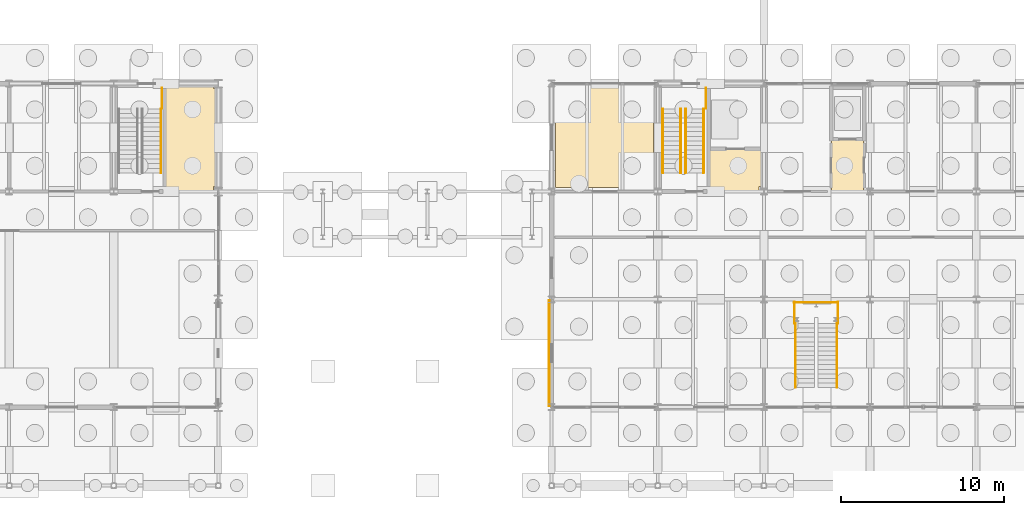
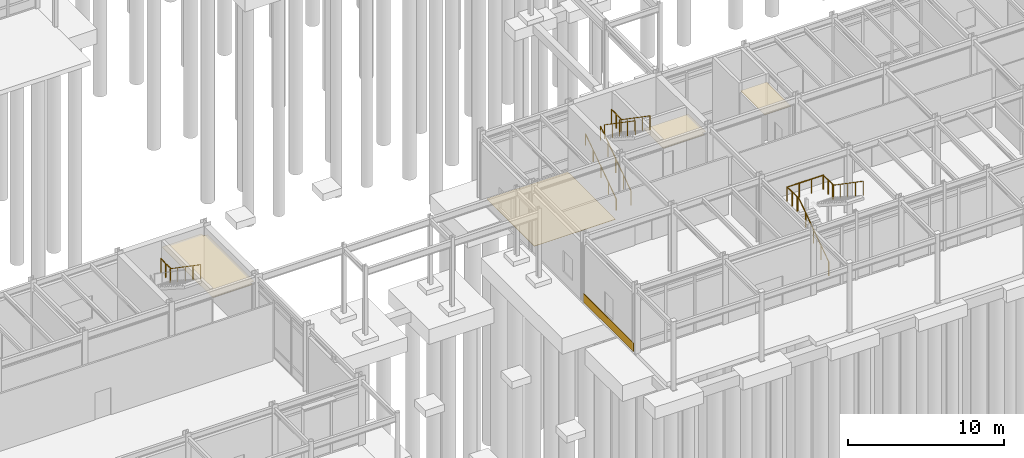
# One storey, part 79 of 82: 12 railings, 5 coverings.
"""IFC4 building model written with IfcOpenShell, lengths in metres."""

import ifcopenshell
import ifcopenshell.guid

model = None  # the IFC model being written
_history = None  # IfcOwnerHistory: only IFC2X3 demands one
_inside = {}  # id of a spatial element -> (the spatial element, [elements in it])
_under = {}  # id of a project, library or spatial element -> (it, [spatial elements below it])
_declared = {}  # id of a project -> (the project, [libraries it declares])
_typed = {}  # id of a type object -> (the type object, [elements of that type])
_made_of = {}  # id of a material, layer set ... -> (it, [elements and type objects made of it])


def new_model(schema):
    """Start an empty IFC model of exactly this schema.

    Asked for "IFC4X3", IfcOpenShell would pick the latest addendum, in which some entities
    have other attributes; the version numbers below select the first issue.
    IFC2X3 requires an IfcOwnerHistory on every rooted entity: one is made here for all.
    """
    global model, _history
    if schema == "IFC4X3":
        model = ifcopenshell.file(schema_version=(4, 3, 0, 0))
    else:
        model = ifcopenshell.file(schema=schema)
    _inside.clear()
    _under.clear()
    _declared.clear()
    _typed.clear()
    _made_of.clear()
    _history = None
    if model.schema == "IFC2X3":
        org = make("IfcOrganization", Name="unknown")
        user = make(
            "IfcPersonAndOrganization",
            ThePerson=make("IfcPerson", FamilyName="unknown"),
            TheOrganization=org,
        )
        app = make(
            "IfcApplication",
            ApplicationDeveloper=org,
            Version="unknown",
            ApplicationFullName="unknown",
            ApplicationIdentifier="unknown",
        )
        _history = make(
            "IfcOwnerHistory",
            OwningUser=user,
            OwningApplication=app,
            ChangeAction="ADDED",
            CreationDate=0,
        )
    return model


def make(cls, **values):
    """One entity of the class cls with the attributes given. An attribute that is None is left unset."""
    return model.create_entity(
        cls, **{name: value for name, value in values.items() if value is not None}
    )


def rooted(cls, **values):
    """An entity with a GlobalId (a new one), such as an element, a storey or a relation."""
    return make(cls, GlobalId=ifcopenshell.guid.new(), OwnerHistory=_history, **values)


def si_unit(unit_type, name, prefix=None):
    """IfcSIUnit, for example si_unit("LENGTHUNIT", "METRE", prefix="MILLI")."""
    return make("IfcSIUnit", UnitType=unit_type, Prefix=prefix, Name=name)


def assignment(units):
    """IfcUnitAssignment: the units of a project."""
    return None if units is None else make("IfcUnitAssignment", Units=units)


def point(xyz):
    """IfcCartesianPoint."""
    return None if xyz is None else make("IfcCartesianPoint", Coordinates=xyz)


def direction(xyz):
    """IfcDirection."""
    return None if xyz is None else make("IfcDirection", DirectionRatios=xyz)


def frame(location, z_axis=None, x_axis=None):
    """IfcAxis2Placement3D, a coordinate frame: its origin and axes. An axis left out is left unset."""
    return make(
        "IfcAxis2Placement3D",
        Location=point(location),
        Axis=direction(z_axis),
        RefDirection=direction(x_axis),
    )


def frame_2d(location, x_axis=None):
    """IfcAxis2Placement2D, a coordinate frame in the plane: its origin and x axis."""
    return make(
        "IfcAxis2Placement2D", Location=point(location), RefDirection=direction(x_axis)
    )


def origin():
    """The frame at (0, 0, 0) with its axes left unset."""
    return frame((0.0, 0.0, 0.0))


def origin_2d():
    """The frame at (0, 0) in the plane with its x axis left unset."""
    return frame_2d((0.0, 0.0))


def place(relative_to, where):
    """IfcLocalPlacement: puts the frame where relative to a parent placement (None: the world)."""
    return make(
        "IfcLocalPlacement", PlacementRelTo=relative_to, RelativePlacement=where
    )


def context(
    kind, dimensions, precision=None, world=None, true_north=None, identifier=None
):
    """IfcGeometricRepresentationContext, for example the 3D "Model" context."""
    return make(
        "IfcGeometricRepresentationContext",
        ContextIdentifier=identifier,
        ContextType=kind,
        CoordinateSpaceDimension=dimensions,
        Precision=precision,
        WorldCoordinateSystem=world,
        TrueNorth=true_north,
    )


def subcontext(parent, identifier, kind, view, scale=None):
    """IfcGeometricRepresentationSubContext, for example "Body" below "Model"."""
    return make(
        "IfcGeometricRepresentationSubContext",
        ContextIdentifier=identifier,
        ContextType=kind,
        ParentContext=parent,
        TargetScale=scale,
        TargetView=view,
    )


def project(units=None, contexts=None):
    """IfcProject with its units and contexts."""
    return rooted(
        "IfcProject",
        Name="project",
        RepresentationContexts=contexts,
        UnitsInContext=assignment(units),
    )


def spatial(cls, under=None, at=None, **own):
    """A site, building, storey or space (cls), placed at a placement, below another one or the project."""
    s = rooted(cls, ObjectPlacement=at, **own)
    if under is not None:
        _under.setdefault(under.id(), (under, []))[1].append(s)
    return s


def polyline(points):
    """IfcPolyline through the points."""
    return make("IfcPolyline", Points=[point(p) for p in points])


def profile(cls, at=None, kind="AREA", **sizes):
    """A parametric profile (cls). Its sizes go by their IFC names, for example OverallWidth=200.0."""
    return make(cls, ProfileType=kind, Position=at, **sizes)


def rectangle(**sizes):
    """IfcRectangleProfileDef."""
    return profile("IfcRectangleProfileDef", **sizes)


def circle(**sizes):
    """IfcCircleProfileDef."""
    return profile("IfcCircleProfileDef", **sizes)


def outline(outer, holes=None, kind="AREA"):
    """IfcArbitraryClosedProfileDef: a profile drawn as a closed curve; with holes, ...WithVoids."""
    if holes is None:
        return make("IfcArbitraryClosedProfileDef", ProfileType=kind, OuterCurve=outer)
    return make(
        "IfcArbitraryProfileDefWithVoids",
        ProfileType=kind,
        OuterCurve=outer,
        InnerCurves=holes,
    )


def extrude(swept, where, along, depth):
    """IfcExtrudedAreaSolid: the profile swept, set in the frame where, extruded along a direction by depth."""
    return make(
        "IfcExtrudedAreaSolid",
        SweptArea=swept,
        Position=where,
        ExtrudedDirection=direction(along),
        Depth=depth,
    )


def shape(context_of_items, identifier, shape_type, items):
    """IfcShapeRepresentation: the items that make up one representation, for example the "Body"."""
    return make(
        "IfcShapeRepresentation",
        ContextOfItems=context_of_items,
        RepresentationIdentifier=identifier,
        RepresentationType=shape_type,
        Items=items,
    )


def material(Name=None, Category=None):
    """IfcMaterial."""
    return make("IfcMaterial", Name=Name, Category=Category)


def layer(
    of_material, thickness, ventilated=None, Name=None, Category=None, Priority=None
):
    """IfcMaterialLayer: one layer of a wall or slab, of a material (None: an air gap)."""
    return make(
        "IfcMaterialLayer",
        Material=of_material,
        LayerThickness=thickness,
        IsVentilated=ventilated,
        Name=Name,
        Category=Category,
        Priority=Priority,
    )


def layer_set(layers, Name=None):
    """IfcMaterialLayerSet."""
    return make("IfcMaterialLayerSet", MaterialLayers=layers, LayerSetName=Name)


def made_of(thing, what):
    """Note that an element or type object is made of a material, layer set ...; save() writes the relation."""
    if what is not None:
        _made_of.setdefault(what.id(), (what, []))[1].append(thing)
    return thing


def type_object(cls, material=None, **own):
    """A type object (cls), such as IfcWallType, which elements share."""
    return made_of(rooted(cls, **own), material)


def element(
    cls,
    number,
    at=None,
    inside=None,
    cuts=None,
    type_object=None,
    material=None,
    context=None,
    identifier="Body",
    shape_type=None,
    held_by="IfcProductDefinitionShape",
    body=None,
    shapes=None,
    **own,
):
    """One element of the class cls, such as IfcWall. Its Tag is "e" and its number.

    at: its placement. inside: the storey or other place that contains it. cuts: it is an
    opening in that element (IfcRelVoidsElement). A single representation is given by context,
    identifier, shape_type and body (its items); several are given by shapes. held_by: the class
    of the entity that holds the representations. save() writes the other relations.
    """
    e = rooted(cls, Tag="e%d" % number, ObjectPlacement=at, **own)
    if body is not None:
        shapes = [shape(context, identifier, shape_type, body)]
    if shapes is not None:
        e.Representation = make(held_by, Representations=shapes)
    if inside is not None:
        _inside.setdefault(inside.id(), (inside, []))[1].append(e)
    if cuts is not None:
        rooted(
            "IfcRelVoidsElement", RelatingBuildingElement=cuts, RelatedOpeningElement=e
        )
    if type_object is not None:
        _typed.setdefault(type_object.id(), (type_object, []))[1].append(e)
    return made_of(e, material)


def aggregate(whole, parts):
    """IfcRelAggregates: a whole, such as a stair, and the parts it consists of."""
    return rooted("IfcRelAggregates", RelatingObject=whole, RelatedObjects=parts)


def save(model, path):
    """Write the relations noted so far, then the file.

    IfcRelAggregates (storeys below a building ...), IfcRelContainedInSpatialStructure (elements
    in a storey), IfcRelDefinesByType, IfcRelAssociatesMaterial and IfcRelDeclares: one each for
    every whole, place, type object, material and project.
    """
    for whole, parts in _under.values():
        aggregate(whole, parts)
    for where, things in _inside.values():
        rooted(
            "IfcRelContainedInSpatialStructure",
            RelatedElements=things,
            RelatingStructure=where,
        )
    for kind, things in _typed.values():
        rooted("IfcRelDefinesByType", RelatedObjects=things, RelatingType=kind)
    for what, things in _made_of.values():
        rooted("IfcRelAssociatesMaterial", RelatedObjects=things, RelatingMaterial=what)
    for by, libraries in _declared.values():
        rooted("IfcRelDeclares", RelatingContext=by, RelatedDefinitions=libraries)
    model.write(path)


model = new_model("IFC4")

# Units and contexts
model_context = context("Model", 3, precision=1e-05, world=origin(), true_north=direction((0.0, 1.0)))
body_context = subcontext(model_context, "Body", "Model", "MODEL_VIEW")
ifc_project = project(units=[si_unit("LENGTHUNIT", "METRE"), si_unit("AREAUNIT", "SQUARE_METRE"), si_unit("VOLUMEUNIT", "CUBIC_METRE"), si_unit("PLANEANGLEUNIT", "RADIAN"), si_unit("MASSUNIT", "GRAM", prefix="KILO")], contexts=[model_context])

# Site, building, storey
site_placement = place(None, origin())
site = spatial("IfcSite", under=ifc_project, at=site_placement, CompositionType="ELEMENT")
building_placement = place(site_placement, origin())
building = spatial("IfcBuilding", under=site, at=building_placement, Name="Trelmorton Wharf Fire Station", CompositionType="ELEMENT")
storey_placement = place(building_placement, origin())
storey = spatial("IfcBuildingStorey", under=building, at=storey_placement, Name="L00", CompositionType="ELEMENT", Elevation=0.0)

# Coverings
ifc_material_1 = material(Name="Mineral fibre acoustic ceiling")
ifc_layer_1 = layer(ifc_material_1, 0.02001953125)
ifc_layer_set_1 = layer_set([ifc_layer_1], Name="Mineral fibre acoustic ceiling")
covering_type_1 = type_object("IfcCoveringType", Name="CV_CEIL_ACOU", PredefinedType="CEILING", material=ifc_layer_set_1)
covering_1_placement = place(storey_placement, frame((0.0, 0.0, 4.47998046875)))
element("IfcCovering", 1, at=covering_1_placement, inside=storey, type_object=covering_type_1, Name="CV-CLG-007", PredefinedType="CEILING", context=body_context, shape_type="SweptSolid", body=[
    extrude(outline(polyline([(80.360107421875, 27.56005859375), (83.300048828125, 27.56005859375), (83.300048828125, 27.300048828125), (83.56005859375, 27.300048828125), (83.56005859375, 21.300048828125), (83.300048828125, 21.300048828125), (83.300048828125, 21.0400390625), (80.360107421875, 21.0400390625), (80.360107421875, 27.56005859375)])), origin(), (0.0, 0.0, 1.0), 0.02001953125),
])
covering_2_placement = place(storey_placement, frame((0.0, 0.0, 4.47998046875)))
element("IfcCovering", 2, at=covering_2_placement, inside=storey, type_object=covering_type_1, Name="CV-CLG-011", PredefinedType="CEILING", context=body_context, shape_type="SweptSolid", body=[
    extrude(outline(polyline([(113.659912109375, 21.0400390625), (113.659912109375, 23.56005859375), (116.9599609375, 23.56005859375), (116.9599609375, 21.300048828125), (116.699951171875, 21.300048828125), (116.699951171875, 21.0400390625), (113.659912109375, 21.0400390625)])), origin(), (0.0, 0.0, 1.0), 0.02001953125),
])
covering_3_placement = place(storey_placement, frame((0.0, 0.0, 4.47998046875)))
element("IfcCovering", 3, at=covering_3_placement, inside=storey, type_object=covering_type_1, Name="CV-CLG-012", PredefinedType="CEILING", context=body_context, shape_type="SweptSolid", body=[
    extrude(outline(polyline([(123.090087890625, 21.0400390625), (123.090087890625, 24.159912109375), (121.14990234375, 24.159912109375), (121.14990234375, 21.0400390625), (123.090087890625, 21.0400390625)])), origin(), (0.0, 0.0, 1.0), 0.02001953125),
])
ifc_material_2 = material(Name="Architectural terracotta cladding", Category="masonry")
ifc_layer_2 = layer(ifc_material_2, 0.044921875)
ifc_layer_set_2 = layer_set([ifc_layer_2], Name="Architectural terracotta cladding")
covering_type_2 = type_object("IfcCoveringType", Name="CV_CLAD_TER", PredefinedType="CLADDING", material=ifc_layer_set_2)
covering_4_placement = place(storey_placement, frame((103.864990234375, 11.10009765625, 0.0302734375), z_axis=(0.0, 0.0, 1.0), x_axis=(0.0, 1.0, 0.0)))
element("IfcCovering", 4, at=covering_4_placement, inside=storey, type_object=covering_type_2, Name="CV-TER-0007", PredefinedType="CLADDING", context=body_context, shape_type="SweptSolid", body=[
    extrude(rectangle(XDim=6.469970703125, YDim=0.044921875, at=origin_2d()), origin(), (0.0, 0.0, 1.0), 0.659912109375),
])
ifc_material_3 = material(Name="Quarry tile wet-area flooring")
ifc_layer_3 = layer(ifc_material_3, 0.02001953125)
ifc_layer_set_3 = layer_set([ifc_layer_3], Name="Quarry tile wet-area flooring")
covering_type_3 = type_object("IfcCoveringType", Name="CV_FLOR_TILE", PredefinedType="FLOORING", material=ifc_layer_set_3)
covering_5_placement = place(storey_placement, origin())
element("IfcCovering", 5, at=covering_5_placement, inside=storey, type_object=covering_type_3, Name="CV-FLR-007", PredefinedType="FLOORING", context=body_context, shape_type="SweptSolid", body=[
    extrude(outline(polyline([(110.25, 21.25), (110.25, 27.35009765625), (104.25, 27.35009765625), (104.25, 21.25), (110.25, 21.25)])), origin(), (0.0, 0.0, 1.0), 0.02001953125),
])

# Railings
ifc_material_4 = material(Name="Stainless steel 316 marine grade", Category="steel")
railing_type_1 = type_object("IfcRailingType", Name="RL_HAND_900", PredefinedType="HANDRAIL", material=ifc_material_4)
railing_1_placement = place(storey_placement, frame((110.81005859375, 22.139892578125, 0.0)))
element("IfcRailing", 6, at=railing_1_placement, inside=storey, type_object=railing_type_1, Name="RL-HR1-STR-C3-L00-08", PredefinedType="HANDRAIL", context=body_context, shape_type="SweptSolid", body=[
    extrude(circle(Radius=0.02099609375, at=origin_2d()), frame((0.0, 0.0, 0.87890625), z_axis=(0.0, 0.823567234665, 0.567218661528), x_axis=(-1.0, 0.0, 0.0)), (0.0, 0.0, 1.0), 4.760009765625),
    extrude(circle(Radius=0.02099609375, at=origin_2d()), origin(), (0.0, 0.0, 1.0), 0.85791015625),
    extrude(circle(Radius=0.02099609375, at=origin_2d()), frame((0.0, 0.97998046875, 0.675048828125)), (0.0, 0.0, 1.0), 0.85791015625),
    extrude(circle(Radius=0.02099609375, at=origin_2d()), frame((0.0, 1.9599609375, 1.35009765625)), (0.0, 0.0, 1.0), 0.85791015625),
    extrude(circle(Radius=0.02099609375, at=origin_2d()), frame((0.0, 2.940185546875, 2.02490234375)), (0.0, 0.0, 1.0), 0.85791015625),
    extrude(circle(Radius=0.02099609375, at=origin_2d()), frame((0.0, 3.920166015625, 2.699951171875)), (0.0, 0.0, 1.0), 0.85791015625),
])
railing_type_2 = type_object("IfcRailingType", Name="RL_WELL_1100", PredefinedType="BALUSTRADE", material=ifc_material_4)
railing_2_placement = place(storey_placement, frame((80.155029296875, 27.3349609375, 2.699951171875)))
element("IfcRailing", 7, at=railing_2_placement, inside=storey, type_object=railing_type_2, Name="RL-GW-OUT1-STR-C2B-L00-05", PredefinedType="BALUSTRADE", context=body_context, shape_type="SweptSolid", body=[
    extrude(circle(Radius=0.02392578125, at=origin_2d()), frame((0.0, 0.0, 1.09619140625), z_axis=(0.0, -1.0, 0.0), x_axis=(1.0, 0.0, 0.0)), (0.0, 0.0, 1.0), 1.23486328125),
    extrude(circle(Radius=0.02099609375, at=origin_2d()), origin(), (0.0, 0.0, 1.0), 1.072021484375),
    extrude(circle(Radius=0.02099609375, at=origin_2d()), frame((0.0, -0.617431640625, 0.0)), (0.0, 0.0, 1.0), 1.072021484375),
    extrude(circle(Radius=0.02099609375, at=origin_2d()), frame((0.0, -1.23486328125, 0.0)), (0.0, 0.0, 1.0), 1.072021484375),
])
railing_3_placement = place(storey_placement, frame((80.090087890625, 26.06005859375, 2.699951171875)))
element("IfcRailing", 8, at=railing_3_placement, inside=storey, type_object=railing_type_2, Name="RL-GW-OUT2-STR-C2B-L00-05", PredefinedType="BALUSTRADE", context=body_context, shape_type="SweptSolid", body=[
    extrude(circle(Radius=0.02392578125, at=origin_2d()), frame((0.0, 0.0, 1.09619140625), z_axis=(0.0, -0.823567234665, 0.567218661528), x_axis=(1.0, 0.0, 0.0)), (0.0, 0.0, 1.0), 4.760009765625),
    extrude(circle(Radius=0.02099609375, at=origin_2d()), origin(), (0.0, 0.0, 1.0), 1.072021484375),
    extrude(circle(Radius=0.02099609375, at=origin_2d()), frame((0.0, -0.97998046875, 0.675048828125)), (0.0, 0.0, 1.0), 1.072021484375),
    extrude(circle(Radius=0.02099609375, at=origin_2d()), frame((0.0, -1.9599609375, 1.35009765625)), (0.0, 0.0, 1.0), 1.072021484375),
    extrude(circle(Radius=0.02099609375, at=origin_2d()), frame((0.0, -2.940185546875, 2.02490234375)), (0.0, 0.0, 1.0), 1.072021484375),
    extrude(circle(Radius=0.02099609375, at=origin_2d()), frame((0.0, -3.920166015625, 2.699951171875)), (0.0, 0.0, 1.0), 1.072021484375),
])
railing_4_placement = place(storey_placement, frame((113.455078125, 27.3349609375, 2.699951171875)))
element("IfcRailing", 9, at=railing_4_placement, inside=storey, type_object=railing_type_2, Name="RL-GW-OUT1-STR-C3-L00-08", PredefinedType="BALUSTRADE", context=body_context, shape_type="SweptSolid", body=[
    extrude(circle(Radius=0.02392578125, at=origin_2d()), frame((0.0, 0.0, 1.09619140625), z_axis=(0.0, -1.0, 0.0), x_axis=(1.0, 0.0, 0.0)), (0.0, 0.0, 1.0), 1.23486328125),
    extrude(circle(Radius=0.02099609375, at=origin_2d()), origin(), (0.0, 0.0, 1.0), 1.072021484375),
    extrude(circle(Radius=0.02099609375, at=origin_2d()), frame((0.0, -0.617431640625, 0.0)), (0.0, 0.0, 1.0), 1.072021484375),
    extrude(circle(Radius=0.02099609375, at=origin_2d()), frame((0.0, -1.23486328125, 0.0)), (0.0, 0.0, 1.0), 1.072021484375),
])
railing_5_placement = place(storey_placement, frame((113.31005859375, 26.06005859375, 2.699951171875)))
element("IfcRailing", 10, at=railing_5_placement, inside=storey, type_object=railing_type_2, Name="RL-GW-OUT2-STR-C3-L00-08", PredefinedType="BALUSTRADE", context=body_context, shape_type="SweptSolid", body=[
    extrude(circle(Radius=0.02392578125, at=origin_2d()), frame((0.0, 0.0, 1.09619140625), z_axis=(0.0, -0.823567234665, 0.567218661528), x_axis=(1.0, 0.0, 0.0)), (0.0, 0.0, 1.0), 4.760009765625),
    extrude(circle(Radius=0.02099609375, at=origin_2d()), origin(), (0.0, 0.0, 1.0), 1.072021484375),
    extrude(circle(Radius=0.02099609375, at=origin_2d()), frame((0.0, -0.97998046875, 0.675048828125)), (0.0, 0.0, 1.0), 1.072021484375),
    extrude(circle(Radius=0.02099609375, at=origin_2d()), frame((0.0, -1.9599609375, 1.35009765625)), (0.0, 0.0, 1.0), 1.072021484375),
    extrude(circle(Radius=0.02099609375, at=origin_2d()), frame((0.0, -2.940185546875, 2.02490234375)), (0.0, 0.0, 1.0), 1.072021484375),
    extrude(circle(Radius=0.02099609375, at=origin_2d()), frame((0.0, -3.920166015625, 2.699951171875)), (0.0, 0.0, 1.0), 1.072021484375),
])
railing_6_placement = place(storey_placement, frame((111.909912109375, 22.139892578125, 0.0)))
element("IfcRailing", 11, at=railing_6_placement, inside=storey, type_object=railing_type_2, Name="RL-GW-IN1-STR-C3-L00-08", PredefinedType="BALUSTRADE", context=body_context, shape_type="SweptSolid", body=[
    extrude(circle(Radius=0.02392578125, at=origin_2d()), frame((0.0, 0.0, 1.09619140625), z_axis=(0.0, 0.823567234665, 0.567218661528), x_axis=(-1.0, 0.0, 0.0)), (0.0, 0.0, 1.0), 4.760009765625),
    extrude(circle(Radius=0.02099609375, at=origin_2d()), origin(), (0.0, 0.0, 1.0), 1.072021484375),
    extrude(circle(Radius=0.02099609375, at=origin_2d()), frame((0.0, 0.97998046875, 0.675048828125)), (0.0, 0.0, 1.0), 1.072021484375),
    extrude(circle(Radius=0.02099609375, at=origin_2d()), frame((0.0, 1.9599609375, 1.35009765625)), (0.0, 0.0, 1.0), 1.072021484375),
    extrude(circle(Radius=0.02099609375, at=origin_2d()), frame((0.0, 2.940185546875, 2.02490234375)), (0.0, 0.0, 1.0), 1.072021484375),
    extrude(circle(Radius=0.02099609375, at=origin_2d()), frame((0.0, 3.920166015625, 2.699951171875)), (0.0, 0.0, 1.0), 1.072021484375),
])
railing_7_placement = place(storey_placement, frame((112.2099609375, 26.06005859375, 2.699951171875)))
element("IfcRailing", 12, at=railing_7_placement, inside=storey, type_object=railing_type_2, Name="RL-GW-IN2-STR-C3-L00-08", PredefinedType="BALUSTRADE", context=body_context, shape_type="SweptSolid", body=[
    extrude(circle(Radius=0.02392578125, at=origin_2d()), frame((0.0, 0.0, 1.09619140625), z_axis=(0.0, -0.823567234665, 0.567218661528), x_axis=(1.0, 0.0, 0.0)), (0.0, 0.0, 1.0), 4.760009765625),
    extrude(circle(Radius=0.02099609375, at=origin_2d()), origin(), (0.0, 0.0, 1.0), 1.072021484375),
    extrude(circle(Radius=0.02099609375, at=origin_2d()), frame((0.0, -0.97998046875, 0.675048828125)), (0.0, 0.0, 1.0), 1.072021484375),
    extrude(circle(Radius=0.02099609375, at=origin_2d()), frame((0.0, -1.9599609375, 1.35009765625)), (0.0, 0.0, 1.0), 1.072021484375),
    extrude(circle(Radius=0.02099609375, at=origin_2d()), frame((0.0, -2.940185546875, 2.02490234375)), (0.0, 0.0, 1.0), 1.072021484375),
    extrude(circle(Radius=0.02099609375, at=origin_2d()), frame((0.0, -3.920166015625, 2.699951171875)), (0.0, 0.0, 1.0), 1.072021484375),
])
railing_8_placement = place(storey_placement, frame((118.929931640625, 9.0, 0.0)))
element("IfcRailing", 13, at=railing_8_placement, inside=storey, type_object=railing_type_2, Name="RL-STS-04-F1", PredefinedType="BALUSTRADE", context=body_context, shape_type="SweptSolid", body=[
    extrude(circle(Radius=0.02392578125, at=origin_2d()), frame((0.0, 0.0, 1.09619140625), z_axis=(0.0, 0.823550731654, 0.567242622158), x_axis=(-1.0, 0.0, 0.0)), (0.0, 0.0, 1.0), 4.759765625),
    extrude(circle(Radius=0.02099609375, at=origin_2d()), origin(), (0.0, 0.0, 1.0), 1.072021484375),
    extrude(circle(Radius=0.02099609375, at=origin_2d()), frame((0.0, 0.97998046875, 0.675048828125)), (0.0, 0.0, 1.0), 1.072021484375),
    extrude(circle(Radius=0.02099609375, at=origin_2d()), frame((0.0, 1.9599609375, 1.35009765625)), (0.0, 0.0, 1.0), 1.072021484375),
    extrude(circle(Radius=0.02099609375, at=origin_2d()), frame((0.0, 2.93994140625, 2.02490234375)), (0.0, 0.0, 1.0), 1.072021484375),
    extrude(circle(Radius=0.02099609375, at=origin_2d()), frame((0.0, 3.919921875, 2.699951171875)), (0.0, 0.0, 1.0), 1.072021484375),
])
railing_9_placement = place(storey_placement, frame((121.469970703125, 12.919921875, 2.699951171875)))
element("IfcRailing", 14, at=railing_9_placement, inside=storey, type_object=railing_type_2, Name="RL-STS-04-F2", PredefinedType="BALUSTRADE", context=body_context, shape_type="SweptSolid", body=[
    extrude(circle(Radius=0.02392578125, at=origin_2d()), frame((0.0, 0.0, 1.09619140625), z_axis=(0.0, -0.823550731654, 0.567242622158), x_axis=(1.0, 0.0, 0.0)), (0.0, 0.0, 1.0), 4.759765625),
    extrude(circle(Radius=0.02099609375, at=origin_2d()), origin(), (0.0, 0.0, 1.0), 1.072021484375),
    extrude(circle(Radius=0.02099609375, at=origin_2d()), frame((0.0, -0.97998046875, 0.675048828125)), (0.0, 0.0, 1.0), 1.072021484375),
    extrude(circle(Radius=0.02099609375, at=origin_2d()), frame((0.0, -1.9599609375, 1.35009765625)), (0.0, 0.0, 1.0), 1.072021484375),
    extrude(circle(Radius=0.02099609375, at=origin_2d()), frame((0.0, -2.93994140625, 2.02490234375)), (0.0, 0.0, 1.0), 1.072021484375),
    extrude(circle(Radius=0.02099609375, at=origin_2d()), frame((0.0, -3.919921875, 2.699951171875)), (0.0, 0.0, 1.0), 1.072021484375),
])
railing_10_placement = place(storey_placement, frame((118.860107421875, 14.199951171875, 2.699951171875)))
element("IfcRailing", 15, at=railing_10_placement, inside=storey, type_object=railing_type_2, Name="RL-STS-04-LB", PredefinedType="BALUSTRADE", context=body_context, shape_type="SweptSolid", body=[
    extrude(circle(Radius=0.02392578125, at=origin_2d()), frame((0.0, 0.0, 1.09619140625), z_axis=(1.0, 0.0, 0.0), x_axis=(0.0, 1.0, 0.0)), (0.0, 0.0, 1.0), 2.679931640625),
    extrude(circle(Radius=0.02099609375, at=origin_2d()), origin(), (0.0, 0.0, 1.0), 1.072021484375),
    extrude(circle(Radius=0.02099609375, at=origin_2d()), frame((0.893310546875, 0.0, 0.0)), (0.0, 0.0, 1.0), 1.072021484375),
    extrude(circle(Radius=0.02099609375, at=origin_2d()), frame((1.78662109375, 0.0, 0.0)), (0.0, 0.0, 1.0), 1.072021484375),
    extrude(circle(Radius=0.02099609375, at=origin_2d()), frame((2.679931640625, 0.0, 0.0)), (0.0, 0.0, 1.0), 1.072021484375),
])
for number, where, name in (
    (16, (118.8701171875, 12.919921875, 2.699951171875), "RL-STS-04-LW"),
    (17, (121.530029296875, 12.919921875, 2.699951171875), "RL-STS-04-LE"),
):
    element("IfcRailing", number, at=place(storey_placement, frame(where)), inside=storey, type_object=railing_type_2, Name=name, PredefinedType="BALUSTRADE", context=body_context, shape_type="SweptSolid", body=[
        extrude(circle(Radius=0.02392578125, at=origin_2d()), frame((0.0, 0.0, 1.09619140625), z_axis=(0.0, 1.0, 0.0), x_axis=(-1.0, 0.0, 0.0)), (0.0, 0.0, 1.0), 1.300048828125),
        extrude(circle(Radius=0.02099609375, at=origin_2d()), origin(), (0.0, 0.0, 1.0), 1.072021484375),
        extrude(circle(Radius=0.02099609375, at=origin_2d()), frame((0.0, 0.64990234375, 0.0)), (0.0, 0.0, 1.0), 1.072021484375),
        extrude(circle(Radius=0.02099609375, at=origin_2d()), frame((0.0, 1.300048828125, 0.0)), (0.0, 0.0, 1.0), 1.072021484375),
    ])

save(model, "model.ifc")
